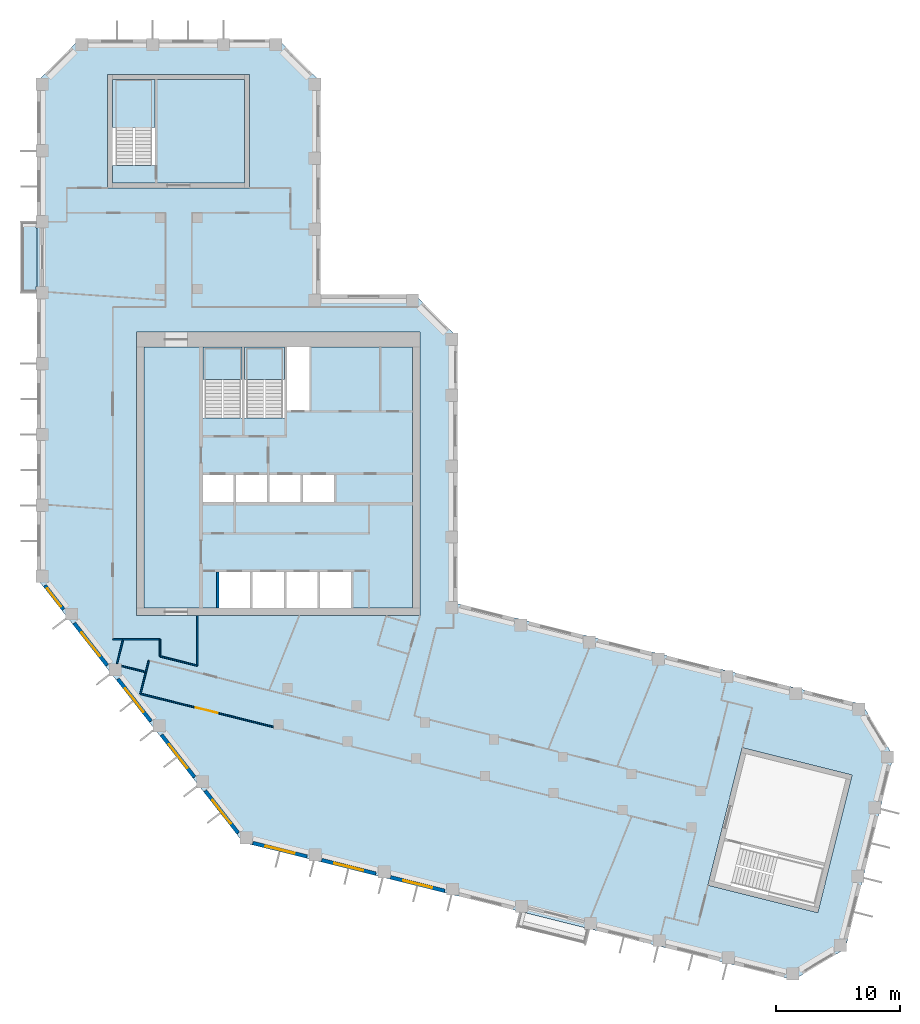
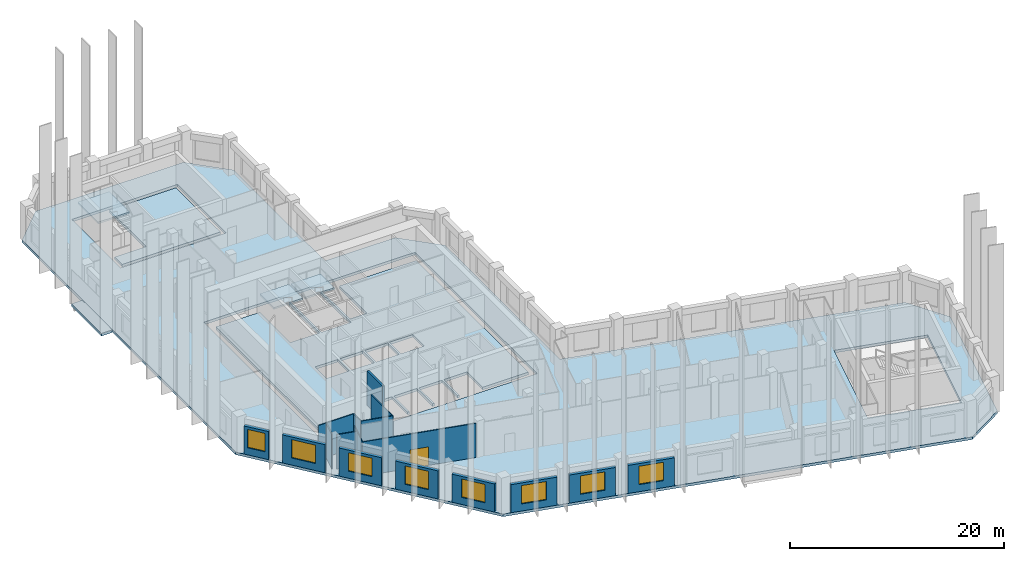
# One storey, part 2 of 9: 17 walls, 8 windows, 7 slabs, 1 door, 9 openings, 3 elements without a shape of their own.
"""IFC4 building model written with IfcOpenShell, lengths in metres."""

import ifcopenshell
import ifcopenshell.guid

model = None  # the IFC model being written
_history = None  # IfcOwnerHistory: only IFC2X3 demands one
_inside = {}  # id of a spatial element -> (the spatial element, [elements in it])
_under = {}  # id of a project, library or spatial element -> (it, [spatial elements below it])
_declared = {}  # id of a project -> (the project, [libraries it declares])
_typed = {}  # id of a type object -> (the type object, [elements of that type])
_made_of = {}  # id of a material, layer set ... -> (it, [elements and type objects made of it])


def new_model(schema):
    """Start an empty IFC model of exactly this schema.

    Asked for "IFC4X3", IfcOpenShell would pick the latest addendum, in which some entities
    have other attributes; the version numbers below select the first issue.
    IFC2X3 requires an IfcOwnerHistory on every rooted entity: one is made here for all.
    """
    global model, _history
    if schema == "IFC4X3":
        model = ifcopenshell.file(schema_version=(4, 3, 0, 0))
    else:
        model = ifcopenshell.file(schema=schema)
    _inside.clear()
    _under.clear()
    _declared.clear()
    _typed.clear()
    _made_of.clear()
    _history = None
    if model.schema == "IFC2X3":
        org = make("IfcOrganization", Name="unknown")
        user = make(
            "IfcPersonAndOrganization",
            ThePerson=make("IfcPerson", FamilyName="unknown"),
            TheOrganization=org,
        )
        app = make(
            "IfcApplication",
            ApplicationDeveloper=org,
            Version="unknown",
            ApplicationFullName="unknown",
            ApplicationIdentifier="unknown",
        )
        _history = make(
            "IfcOwnerHistory",
            OwningUser=user,
            OwningApplication=app,
            ChangeAction="ADDED",
            CreationDate=0,
        )
    return model


def make(cls, **values):
    """One entity of the class cls with the attributes given. An attribute that is None is left unset."""
    return model.create_entity(
        cls, **{name: value for name, value in values.items() if value is not None}
    )


def rooted(cls, **values):
    """An entity with a GlobalId (a new one), such as an element, a storey or a relation."""
    return make(cls, GlobalId=ifcopenshell.guid.new(), OwnerHistory=_history, **values)


def si_unit(unit_type, name, prefix=None):
    """IfcSIUnit, for example si_unit("LENGTHUNIT", "METRE", prefix="MILLI")."""
    return make("IfcSIUnit", UnitType=unit_type, Prefix=prefix, Name=name)


def assignment(units):
    """IfcUnitAssignment: the units of a project."""
    return None if units is None else make("IfcUnitAssignment", Units=units)


def point(xyz):
    """IfcCartesianPoint."""
    return None if xyz is None else make("IfcCartesianPoint", Coordinates=xyz)


def direction(xyz):
    """IfcDirection."""
    return None if xyz is None else make("IfcDirection", DirectionRatios=xyz)


def frame(location, z_axis=None, x_axis=None):
    """IfcAxis2Placement3D, a coordinate frame: its origin and axes. An axis left out is left unset."""
    return make(
        "IfcAxis2Placement3D",
        Location=point(location),
        Axis=direction(z_axis),
        RefDirection=direction(x_axis),
    )


def frame_2d(location, x_axis=None):
    """IfcAxis2Placement2D, a coordinate frame in the plane: its origin and x axis."""
    return make(
        "IfcAxis2Placement2D", Location=point(location), RefDirection=direction(x_axis)
    )


def origin():
    """The frame at (0, 0, 0) with its axes left unset."""
    return frame((0.0, 0.0, 0.0))


def place(relative_to, where):
    """IfcLocalPlacement: puts the frame where relative to a parent placement (None: the world)."""
    return make(
        "IfcLocalPlacement", PlacementRelTo=relative_to, RelativePlacement=where
    )


def context(
    kind, dimensions, precision=None, world=None, true_north=None, identifier=None
):
    """IfcGeometricRepresentationContext, for example the 3D "Model" context."""
    return make(
        "IfcGeometricRepresentationContext",
        ContextIdentifier=identifier,
        ContextType=kind,
        CoordinateSpaceDimension=dimensions,
        Precision=precision,
        WorldCoordinateSystem=world,
        TrueNorth=true_north,
    )


def subcontext(parent, identifier, kind, view, scale=None):
    """IfcGeometricRepresentationSubContext, for example "Body" below "Model"."""
    return make(
        "IfcGeometricRepresentationSubContext",
        ContextIdentifier=identifier,
        ContextType=kind,
        ParentContext=parent,
        TargetScale=scale,
        TargetView=view,
    )


def project(units=None, contexts=None):
    """IfcProject with its units and contexts."""
    return rooted(
        "IfcProject",
        Name="project",
        RepresentationContexts=contexts,
        UnitsInContext=assignment(units),
    )


def spatial(cls, under=None, at=None, **own):
    """A site, building, storey or space (cls), placed at a placement, below another one or the project."""
    s = rooted(cls, ObjectPlacement=at, **own)
    if under is not None:
        _under.setdefault(under.id(), (under, []))[1].append(s)
    return s


def polyline(points):
    """IfcPolyline through the points."""
    return make("IfcPolyline", Points=[point(p) for p in points])


def profile(cls, at=None, kind="AREA", **sizes):
    """A parametric profile (cls). Its sizes go by their IFC names, for example OverallWidth=200.0."""
    return make(cls, ProfileType=kind, Position=at, **sizes)


def rectangle(**sizes):
    """IfcRectangleProfileDef."""
    return profile("IfcRectangleProfileDef", **sizes)


def outline(outer, holes=None, kind="AREA"):
    """IfcArbitraryClosedProfileDef: a profile drawn as a closed curve; with holes, ...WithVoids."""
    if holes is None:
        return make("IfcArbitraryClosedProfileDef", ProfileType=kind, OuterCurve=outer)
    return make(
        "IfcArbitraryProfileDefWithVoids",
        ProfileType=kind,
        OuterCurve=outer,
        InnerCurves=holes,
    )


def extrude(swept, where, along, depth):
    """IfcExtrudedAreaSolid: the profile swept, set in the frame where, extruded along a direction by depth."""
    return make(
        "IfcExtrudedAreaSolid",
        SweptArea=swept,
        Position=where,
        ExtrudedDirection=direction(along),
        Depth=depth,
    )


def shape(context_of_items, identifier, shape_type, items):
    """IfcShapeRepresentation: the items that make up one representation, for example the "Body"."""
    return make(
        "IfcShapeRepresentation",
        ContextOfItems=context_of_items,
        RepresentationIdentifier=identifier,
        RepresentationType=shape_type,
        Items=items,
    )


def material(Name=None, Category=None):
    """IfcMaterial."""
    return make("IfcMaterial", Name=Name, Category=Category)


def layer(
    of_material, thickness, ventilated=None, Name=None, Category=None, Priority=None
):
    """IfcMaterialLayer: one layer of a wall or slab, of a material (None: an air gap)."""
    return make(
        "IfcMaterialLayer",
        Material=of_material,
        LayerThickness=thickness,
        IsVentilated=ventilated,
        Name=Name,
        Category=Category,
        Priority=Priority,
    )


def layer_set(layers, Name=None):
    """IfcMaterialLayerSet."""
    return make("IfcMaterialLayerSet", MaterialLayers=layers, LayerSetName=Name)


def made_of(thing, what):
    """Note that an element or type object is made of a material, layer set ...; save() writes the relation."""
    if what is not None:
        _made_of.setdefault(what.id(), (what, []))[1].append(thing)
    return thing


def type_object(cls, material=None, **own):
    """A type object (cls), such as IfcWallType, which elements share."""
    return made_of(rooted(cls, **own), material)


def element(
    cls,
    number,
    at=None,
    inside=None,
    cuts=None,
    type_object=None,
    material=None,
    context=None,
    identifier="Body",
    shape_type=None,
    held_by="IfcProductDefinitionShape",
    body=None,
    shapes=None,
    **own,
):
    """One element of the class cls, such as IfcWall. Its Tag is "e" and its number.

    at: its placement. inside: the storey or other place that contains it. cuts: it is an
    opening in that element (IfcRelVoidsElement). A single representation is given by context,
    identifier, shape_type and body (its items); several are given by shapes. held_by: the class
    of the entity that holds the representations. save() writes the other relations.
    """
    e = rooted(cls, Tag="e%d" % number, ObjectPlacement=at, **own)
    if body is not None:
        shapes = [shape(context, identifier, shape_type, body)]
    if shapes is not None:
        e.Representation = make(held_by, Representations=shapes)
    if inside is not None:
        _inside.setdefault(inside.id(), (inside, []))[1].append(e)
    if cuts is not None:
        rooted(
            "IfcRelVoidsElement", RelatingBuildingElement=cuts, RelatedOpeningElement=e
        )
    if type_object is not None:
        _typed.setdefault(type_object.id(), (type_object, []))[1].append(e)
    return made_of(e, material)


def fill(opening, filler):
    """IfcRelFillsElement: the door or window that sits in an opening."""
    return rooted(
        "IfcRelFillsElement",
        RelatingOpeningElement=opening,
        RelatedBuildingElement=filler,
    )


def aggregate(whole, parts):
    """IfcRelAggregates: a whole, such as a stair, and the parts it consists of."""
    return rooted("IfcRelAggregates", RelatingObject=whole, RelatedObjects=parts)


def save(model, path):
    """Write the relations noted so far, then the file.

    IfcRelAggregates (storeys below a building ...), IfcRelContainedInSpatialStructure (elements
    in a storey), IfcRelDefinesByType, IfcRelAssociatesMaterial and IfcRelDeclares: one each for
    every whole, place, type object, material and project.
    """
    for whole, parts in _under.values():
        aggregate(whole, parts)
    for where, things in _inside.values():
        rooted(
            "IfcRelContainedInSpatialStructure",
            RelatedElements=things,
            RelatingStructure=where,
        )
    for kind, things in _typed.values():
        rooted("IfcRelDefinesByType", RelatedObjects=things, RelatingType=kind)
    for what, things in _made_of.values():
        rooted("IfcRelAssociatesMaterial", RelatedObjects=things, RelatingMaterial=what)
    for by, libraries in _declared.values():
        rooted("IfcRelDeclares", RelatingContext=by, RelatedDefinitions=libraries)
    model.write(path)


model = new_model("IFC4")

# Units and contexts
model_context = context("Model", 3, precision=1e-05, world=origin(), true_north=direction((0.0, 1.0)))
body_context = subcontext(model_context, "Body", "Model", "MODEL_VIEW")
ifc_project = project(units=[si_unit("LENGTHUNIT", "METRE"), si_unit("AREAUNIT", "SQUARE_METRE"), si_unit("VOLUMEUNIT", "CUBIC_METRE"), si_unit("PLANEANGLEUNIT", "RADIAN"), si_unit("MASSUNIT", "GRAM", prefix="KILO")], contexts=[model_context])

# Site, building, storey
site_placement = place(None, origin())
site = spatial("IfcSite", under=ifc_project, at=site_placement, CompositionType="ELEMENT")
building_placement = place(site_placement, origin())
building = spatial("IfcBuilding", under=site, at=building_placement, Name="Meshkara Civic Tower", CompositionType="ELEMENT")
storey_placement = place(building_placement, frame((0.0, 0.0, 306.60009765625)))
storey = spatial("IfcBuildingStorey", under=building, at=storey_placement, Name="L70", CompositionType="ELEMENT", Elevation=306.60009765625)

# Slabs
ifc_material_1 = material(Name="Concrete C40", Category="concrete")
ifc_layer_1 = layer(ifc_material_1, 0.300048828125)
ifc_layer_set_1 = layer_set([ifc_layer_1], Name="BALCONY SLAB")
slab_type_1 = type_object("IfcSlabType", Name="BALCONY SLAB", PredefinedType="FLOOR", material=ifc_layer_set_1)
slab_1_placement = place(storey_placement, frame((0.0, 0.0, -0.300048828125)))
element("IfcSlab", 1, at=slab_1_placement, inside=storey, type_object=slab_type_1, Name="Balcony slab", PredefinedType="FLOOR", context=body_context, shape_type="SweptSolid", body=[
    extrude(outline(polyline([(-1.199951171875, 40.114990234375), (-1.199951171875, 45.695068359375), (-0.050048828125, 45.695068359375), (-0.050048828125, 45.2548828125), (0.0, 45.2548828125), (0.0, 40.554931640625), (-0.050048828125, 40.554931640625), (-0.050048828125, 40.114990234375), (-1.199951171875, 40.114990234375)])), origin(), (0.0, 0.0, 1.0), 0.300048828125),
])
ifc_material_2 = material(Name="Concrete C40/50", Category="concrete")
ifc_layer_2 = layer(ifc_material_2, 0.300048828125)
ifc_layer_set_2 = layer_set([ifc_layer_2], Name="Core floor slab 300 C40/50")
slab_type_2 = type_object("IfcSlabType", Name="Core floor slab 300 C40/50", PredefinedType="FLOOR", material=ifc_layer_set_2)
slab_2_placement = place(storey_placement, frame((0.0, 0.0, -0.300048828125)))
element("IfcSlab", 2, at=slab_2_placement, inside=storey, type_object=slab_type_2, Name="Core floor K", PredefinedType="FLOOR", context=body_context, shape_type="SweptSolid", body=[
    extrude(outline(polyline([(8.60009765625, 35.699951171875), (13.35009765625, 35.699951171875), (13.35009765625, 30.00146484375), (16.5, 30.00146484375), (16.5, 35.699951171875), (16.699951171875, 35.699951171875), (16.699951171875, 30.00146484375), (19.89990234375, 30.00146484375), (19.89990234375, 35.699951171875), (20.10009765625, 35.699951171875), (20.10009765625, 30.574951171875), (21.925048828125, 30.574951171875), (21.925048828125, 35.699951171875), (30.199951171875, 35.699951171875), (30.199951171875, 14.699951171875), (25.25, 14.699951171875), (25.25, 17.60009765625), (22.75, 17.60009765625), (22.75, 14.699951171875), (22.550048828125, 14.699951171875), (22.550048828125, 17.60009765625), (20.050048828125, 17.60009765625), (20.050048828125, 14.699951171875), (19.85009765625, 14.699951171875), (19.85009765625, 17.60009765625), (17.35009765625, 17.60009765625), (17.35009765625, 14.699951171875), (17.14990234375, 14.699951171875), (17.14990234375, 17.60009765625), (14.64990234375, 17.60009765625), (14.64990234375, 14.699951171875), (8.60009765625, 14.699951171875), (8.60009765625, 35.699951171875)]), holes=[polyline([(13.35009765625, 23.25), (15.800048828125, 23.25), (15.800048828125, 25.39990234375), (13.35009765625, 25.39990234375), (13.35009765625, 23.25)]), polyline([(18.5, 23.25), (18.5, 25.39990234375), (16.0, 25.39990234375), (16.0, 23.25), (18.5, 23.25)]), polyline([(18.699951171875, 23.25), (21.199951171875, 23.25), (21.199951171875, 25.39990234375), (18.699951171875, 25.39990234375), (18.699951171875, 23.25)]), polyline([(23.89990234375, 23.25), (23.89990234375, 25.39990234375), (21.39990234375, 25.39990234375), (21.39990234375, 23.25), (23.89990234375, 23.25)])]), origin(), (0.0, 0.0, 1.0), 0.300048828125),
])
slab_3_placement = place(storey_placement, frame((0.0, 0.0, -0.300048828125)))
element("IfcSlab", 3, at=slab_3_placement, inside=storey, type_object=slab_type_2, Name="Core floor EA", PredefinedType="FLOOR", context=body_context, shape_type="SweptSolid", body=[
    extrude(outline(polyline([(16.699951171875, 48.8701171875), (16.699951171875, 57.169921875), (9.5, 57.169921875), (9.5, 50.271484375), (6.10009765625, 50.271484375), (6.10009765625, 48.8701171875), (16.699951171875, 48.8701171875)])), origin(), (0.0, 0.0, 1.0), 0.300048828125),
])

# Stair, slab
ifc_material_3 = material(Name="Precast concrete C40/50", Category="concrete")
stair_type = type_object("IfcStairType", Name="Exit stair half-turn 24 risers precast", PredefinedType="HALF_TURN_STAIR", material=ifc_material_3)
stair_1_placement = place(storey_placement, origin())
stair_1 = element("IfcStair", 4, at=stair_1_placement, inside=storey, type_object=stair_type, Name="L70 exit stair 1", PredefinedType="HALF_TURN_STAIR")
ifc_material_4 = material(Name="Precast concrete C40/50", Category="concrete")
ifc_layer_3 = layer(ifc_material_4, 0.199951171875)
ifc_layer_set_3 = layer_set([ifc_layer_3], Name="Exit stair landing 200")
slab_type_3 = type_object("IfcSlabType", Name="Exit stair landing 200", PredefinedType="LANDING", material=ifc_layer_set_3)
slab_4_placement = place(storey_placement, frame((0.0, 0.0, 1.89990234375)))
slab_4 = element("IfcSlab", 5, at=slab_4_placement, type_object=slab_type_3, Name="ST1 landing 1", PredefinedType="LANDING", context=body_context, shape_type="SweptSolid", body=[
    extrude(outline(polyline([(16.5, 33.07861328125), (16.5, 35.699951171875), (13.35009765625, 35.699951171875), (13.35009765625, 33.07861328125), (16.5, 33.07861328125)])), origin(), (0.0, 0.0, 1.0), 0.199951171875),
])
aggregate(stair_1, [slab_4])

stair_2_placement = place(storey_placement, origin())
stair_2 = element("IfcStair", 6, at=stair_2_placement, inside=storey, type_object=stair_type, Name="L70 exit stair 2", PredefinedType="HALF_TURN_STAIR")
slab_5_placement = place(storey_placement, frame((0.0, 0.0, 1.89990234375)))
slab_5 = element("IfcSlab", 7, at=slab_5_placement, type_object=slab_type_3, Name="ST2 landing 1", PredefinedType="LANDING", context=body_context, shape_type="SweptSolid", body=[
    extrude(outline(polyline([(19.89990234375, 33.07861328125), (19.89990234375, 35.699951171875), (16.699951171875, 35.699951171875), (16.699951171875, 33.07861328125), (19.89990234375, 33.07861328125)])), origin(), (0.0, 0.0, 1.0), 0.199951171875),
])
aggregate(stair_2, [slab_5])

stair_3_placement = place(storey_placement, origin())
stair_3 = element("IfcStair", 8, at=stair_3_placement, inside=storey, type_object=stair_type, Name="L70 exit stair A from L65", PredefinedType="HALF_TURN_STAIR")
slab_6_placement = place(storey_placement, frame((0.0, 0.0, 1.89990234375)))
slab_6 = element("IfcSlab", 9, at=slab_6_placement, type_object=slab_type_3, Name="ESA5 landing 1", PredefinedType="LANDING", context=body_context, shape_type="SweptSolid", body=[
    extrude(outline(polyline([(9.5, 53.348388671875), (9.5, 57.169921875), (6.10009765625, 57.169921875), (6.10009765625, 53.348388671875), (9.5, 53.348388671875)])), origin(), (0.0, 0.0, 1.0), 0.199951171875),
])
aggregate(stair_3, [slab_6])

# Slab
ifc_material_5 = material(Name="Concrete C50", Category="concrete")
ifc_layer_4 = layer(ifc_material_5, 0.300048828125)
ifc_layer_set_4 = layer_set([ifc_layer_4], Name="Post-tensioned flat slab 300 C50")
slab_type_4 = type_object("IfcSlabType", Name="Post-tensioned flat slab 300 C50", PredefinedType="FLOOR", material=ifc_layer_set_4)
slab_7_placement = place(storey_placement, frame((0.0, 0.0, -0.300048828125)))
element("IfcSlab", 10, at=slab_7_placement, inside=storey, type_object=slab_type_4, Name="Post-tensioned flat slab L70", PredefinedType="FLOOR", context=body_context, shape_type="SweptSolid", body=[
    extrude(outline(polyline([(64.98291015625, -12.677001953125), (60.837890625, -15.1689453125), (16.592041015625, -4.136962890625), (0.0, 17.10009765625), (0.0, 57.0), (3.419921875, 60.419921875), (19.3798828125, 60.419921875), (22.800048828125, 57.0), (22.800048828125, 39.89990234375), (30.3798828125, 39.89990234375), (33.800048828125, 36.47998046875), (33.800048828125, 15.071044921875), (66.35302734375, 6.9541015625), (68.843994140625, 2.80810546875), (64.98291015625, -12.677001953125)]), holes=[polyline([(62.77001953125, -9.77587890625), (65.527099609375, 1.285888671875), (56.697998046875, 3.487060546875), (53.93994140625, -7.573974609375), (62.77001953125, -9.77587890625)]), polyline([(8.0, 14.10009765625), (30.800048828125, 14.10009765625), (30.800048828125, 36.89990234375), (8.0, 36.89990234375), (8.0, 14.10009765625)]), polyline([(5.699951171875, 57.570068359375), (5.699951171875, 48.469970703125), (17.10009765625, 48.469970703125), (17.10009765625, 57.570068359375), (5.699951171875, 57.570068359375)])]), origin(), (0.0, 0.0, 1.0), 0.300048828125),
])

# Wall
ifc_material_6 = material(Name="Corridor wall 100")
ifc_layer_5 = layer(ifc_material_6, 0.10009765625)
ifc_layer_set_5 = layer_set([ifc_layer_5], Name="Corridor wall 100")
wall_type_1 = type_object("IfcWallType", Name="Corridor wall 100", PredefinedType="PARTITIONING", material=ifc_layer_set_5)
wall_1_placement = place(storey_placement, frame((6.10009765625, 12.199951171875, 0.0), z_axis=(0.0, 0.0, 1.0), x_axis=(1.0, 0.0, 0.0)))
element("IfcWall", 11, at=wall_1_placement, inside=storey, type_object=wall_type_1, Name="L70-W004", PredefinedType="PARTITIONING", context=body_context, shape_type="SweptSolid", body=[
    extrude(rectangle(XDim=3.7998046875, YDim=0.10009765625, at=frame_2d((1.89990234375, 0.0))), origin(), (0.0, 0.0, 1.0), 3.89990234375),
])

# Wall, opening, door
wall_2_placement = place(storey_placement, frame((8.3330078125, 7.81494140625, 0.0), z_axis=(0.0, 0.0, 1.0), x_axis=(0.970306508913, -0.241878644697, 0.0)))
wall_2 = element("IfcWall", 12, at=wall_2_placement, inside=storey, type_object=wall_type_1, Name="L70-W006", PredefinedType="PARTITIONING", context=body_context, shape_type="SweptSolid", body=[
    extrude(rectangle(XDim=11.01806640625, YDim=0.10009765625, at=frame_2d((5.509033203125, 0.0))), origin(), (0.0, 0.0, 1.0), 3.89990234375),
])
opening_1_placement = place(wall_2_placement, frame((4.580078125, 0.0, 0.0)))
opening_1 = element("IfcOpeningElement", 13, at=opening_1_placement, cuts=wall_2, Name="Opening L70-D008", PredefinedType="OPENING", context=body_context, shape_type="SweptSolid", body=[
    extrude(rectangle(XDim=1.800048828125, YDim=2.10009765625, at=frame_2d((0.89990234375, 1.050048828125))), frame((0.0, 0.06005859375, 0.0), z_axis=(0.0, -1.0, 0.0), x_axis=(1.0, 0.0, 0.0)), (0.0, 0.0, 1.0), 0.1201171875),
])
ifc_material_7 = material(Name="Door pair 1800 x 2100")
door_type = type_object("IfcDoorType", Name="Door pair 1800 x 2100", OperationType="SINGLE_SWING_LEFT", PredefinedType="DOOR", material=ifc_material_7)
door_placement = place(opening_1_placement, origin())
door = element("IfcDoor", 14, at=door_placement, inside=storey, type_object=door_type, Name="L70-D008", OperationType="DOUBLE_DOOR_SINGLE_SWING", OverallHeight=2.10009765625, OverallWidth=1.800048828125, PredefinedType="DOOR", context=body_context, shape_type="SweptSolid", body=[
    extrude(rectangle(XDim=1.800048828125, YDim=2.10009765625, at=frame_2d((0.89990234375, 1.050048828125))), frame((0.0, 0.02490234375, 0.0), z_axis=(0.0, -1.0, 0.0), x_axis=(1.0, 0.0, 0.0)), (0.0, 0.0, 1.0), 0.050048828125),
])
fill(opening_1, door)

# Walls
wall_3_placement = place(storey_placement, frame((9.001953125, 10.4990234375, 0.0), z_axis=(0.0, 0.0, 1.0), x_axis=(-0.2418294893, -0.970318761081, 0.0)))
element("IfcWall", 15, at=wall_3_placement, inside=storey, type_object=wall_type_1, Name="L70-W008", PredefinedType="PARTITIONING", context=body_context, shape_type="SweptSolid", body=[
    extrude(rectangle(XDim=2.76611328125, YDim=0.10009765625, at=frame_2d((1.383056640625, 0.0))), origin(), (0.0, 0.0, 1.0), 3.89990234375),
])
wall_4_placement = place(storey_placement, frame((9.89990234375, 10.825927734375, 0.0), z_axis=(0.0, 0.0, 1.0), x_axis=(0.970290953223, -0.241941038466, 0.0)))
element("IfcWall", 16, at=wall_4_placement, inside=storey, type_object=wall_type_1, Name="L70-W009", PredefinedType="PARTITIONING", context=body_context, shape_type="SweptSolid", body=[
    extrude(rectangle(XDim=3.091796875, YDim=0.10009765625, at=frame_2d((1.5458984375, 0.0))), origin(), (0.0, 0.0, 1.0), 3.89990234375),
])
wall_5_placement = place(storey_placement, frame((9.89990234375, 12.199951171875, 0.0), z_axis=(0.0, 0.0, 1.0), x_axis=(0.0, -1.0, 0.0)))
element("IfcWall", 17, at=wall_5_placement, inside=storey, type_object=wall_type_1, Name="L70-W010", PredefinedType="PARTITIONING", context=body_context, shape_type="SweptSolid", body=[
    extrude(rectangle(XDim=1.3740234375, YDim=0.10009765625, at=frame_2d((0.68701171875, 0.0))), origin(), (0.0, 0.0, 1.0), 3.89990234375),
])
wall_6_placement = place(storey_placement, frame((12.89990234375, 10.077880859375, 0.0), z_axis=(0.0, 0.0, 1.0), x_axis=(0.0, 1.0, 0.0)))
element("IfcWall", 18, at=wall_6_placement, inside=storey, type_object=wall_type_1, Name="L70-W015", PredefinedType="PARTITIONING", context=body_context, shape_type="SweptSolid", body=[
    extrude(rectangle(XDim=4.022216796875, YDim=0.10009765625, at=frame_2d((2.01123046875, 0.0))), origin(), (0.0, 0.0, 1.0), 3.89990234375),
])

# Wall, opening, window
ifc_material_8 = material(Name="Insulated infill panel with bronze anodised aluminium cladding", Category="aluminium")
ifc_layer_6 = layer(ifc_material_8, 0.300048828125)
ifc_layer_set_6 = layer_set([ifc_layer_6], Name="EXTERNAL INFILL WALL 300")
wall_type_2 = type_object("IfcWallType", Name="EXTERNAL INFILL WALL 300", PredefinedType="SOLIDWALL", material=ifc_layer_set_6)
wall_7_placement = place(storey_placement, frame((0.64599609375, 16.51708984375, 0.0), z_axis=(0.0, 0.0, 1.0), x_axis=(0.615610986717, -0.788050197026, 0.0)))
wall_7 = element("IfcWall", 19, at=wall_7_placement, inside=storey, type_object=wall_type_2, Name="External wall", PredefinedType="SOLIDWALL", context=body_context, shape_type="SweptSolid", body=[
    extrude(rectangle(XDim=2.4365234375, YDim=0.300048828125, at=frame_2d((1.21826171875, 0.0))), origin(), (0.0, 0.0, 1.0), 3.199951171875),
])
opening_2_placement = place(wall_7_placement, frame((0.318115234375, 0.0, 0.800048828125)))
opening_2 = element("IfcOpeningElement", 20, at=opening_2_placement, cuts=wall_7, Name="Opening W9", PredefinedType="OPENING", context=body_context, shape_type="SweptSolid", body=[
    extrude(rectangle(XDim=1.800048828125, YDim=2.10009765625, at=frame_2d((0.89990234375, 1.050048828125))), frame((0.0, 0.159912109375, 0.0), z_axis=(0.0, -1.0, 0.0), x_axis=(1.0, 0.0, 0.0)), (0.0, 0.0, 1.0), 0.320068359375),
])
ifc_material_9 = material(Name="Tinted double glazing", Category="glass")
window_type_1 = type_object("IfcWindowType", Name="WINDOW 1800x2100", PartitioningType="DOUBLE_PANEL_VERTICAL", PredefinedType="WINDOW", material=ifc_material_9)
window_1_placement = place(opening_2_placement, origin())
window_1 = element("IfcWindow", 21, at=window_1_placement, inside=storey, type_object=window_type_1, Name="Window", OverallHeight=2.10009765625, OverallWidth=1.800048828125, PartitioningType="DOUBLE_PANEL_VERTICAL", PredefinedType="WINDOW", context=body_context, shape_type="SweptSolid", body=[
    extrude(rectangle(XDim=1.800048828125, YDim=2.10009765625, at=frame_2d((0.89990234375, 1.050048828125))), frame((0.0, 0.030029296875, 0.0), z_axis=(0.0, -1.0, 0.0), x_axis=(1.0, 0.0, 0.0)), (0.0, 0.0, 1.0), 0.06005859375),
])
fill(opening_2, window_1)

wall_8_placement = place(storey_placement, frame((3.010009765625, 13.490966796875, 0.0), z_axis=(0.0, 0.0, 1.0), x_axis=(0.615713519567, -0.787970089421, 0.0)))
wall_8 = element("IfcWall", 22, at=wall_8_placement, inside=storey, type_object=wall_type_2, Name="External wall", PredefinedType="SOLIDWALL", context=body_context, shape_type="SweptSolid", body=[
    extrude(rectangle(XDim=4.2958984375, YDim=0.300048828125, at=frame_2d((2.14794921875, 0.0))), origin(), (0.0, 0.0, 1.0), 3.199951171875),
])
opening_3_placement = place(wall_8_placement, frame((0.947998046875, 0.0, 0.800048828125)))
opening_3 = element("IfcOpeningElement", 23, at=opening_3_placement, cuts=wall_8, Name="Opening W7", PredefinedType="OPENING", context=body_context, shape_type="SweptSolid", body=[
    extrude(rectangle(XDim=2.39990234375, YDim=2.10009765625, at=frame_2d((1.199951171875, 1.050048828125))), frame((0.0, 0.159912109375, 0.0), z_axis=(0.0, -1.0, 0.0), x_axis=(1.0, 0.0, 0.0)), (0.0, 0.0, 1.0), 0.320068359375),
])
ifc_material_10 = material(Name="Tinted double glazing", Category="glass")
window_type_2 = type_object("IfcWindowType", Name="WINDOW 2400x2100", PartitioningType="DOUBLE_PANEL_VERTICAL", PredefinedType="WINDOW", material=ifc_material_10)
window_2_placement = place(opening_3_placement, origin())
window_2 = element("IfcWindow", 24, at=window_2_placement, inside=storey, type_object=window_type_2, Name="Window", OverallHeight=2.10009765625, OverallWidth=2.39990234375, PartitioningType="DOUBLE_PANEL_VERTICAL", PredefinedType="WINDOW", context=body_context, shape_type="SweptSolid", body=[
    extrude(rectangle(XDim=2.39990234375, YDim=2.10009765625, at=frame_2d((1.199951171875, 1.050048828125))), frame((0.0, 0.030029296875, 0.0), z_axis=(0.0, -1.0, 0.0), x_axis=(1.0, 0.0, 0.0)), (0.0, 0.0, 1.0), 0.06005859375),
])
fill(opening_3, window_2)

wall_9_placement = place(storey_placement, frame((6.51904296875, 9.0, 0.0), z_axis=(0.0, 0.0, 1.0), x_axis=(0.615634121154, -0.788032124263, 0.0)))
wall_9 = element("IfcWall", 25, at=wall_9_placement, inside=storey, type_object=wall_type_2, Name="External wall", PredefinedType="SOLIDWALL", context=body_context, shape_type="SweptSolid", body=[
    extrude(rectangle(XDim=4.298095703125, YDim=0.300048828125, at=frame_2d((2.14892578125, 0.0))), origin(), (0.0, 0.0, 1.0), 3.199951171875),
])
opening_4_placement = place(wall_9_placement, frame((0.948974609375, 0.0, 0.800048828125)))
opening_4 = element("IfcOpeningElement", 26, at=opening_4_placement, cuts=wall_9, Name="Opening W7", PredefinedType="OPENING", context=body_context, shape_type="SweptSolid", body=[
    extrude(rectangle(XDim=2.39990234375, YDim=2.10009765625, at=frame_2d((1.199951171875, 1.050048828125))), frame((0.0, 0.159912109375, 0.0), z_axis=(0.0, -1.0, 0.0), x_axis=(1.0, 0.0, 0.0)), (0.0, 0.0, 1.0), 0.320068359375),
])
window_3_placement = place(opening_4_placement, origin())
window_3 = element("IfcWindow", 27, at=window_3_placement, inside=storey, type_object=window_type_2, Name="Window", OverallHeight=2.10009765625, OverallWidth=2.39990234375, PartitioningType="DOUBLE_PANEL_VERTICAL", PredefinedType="WINDOW", context=body_context, shape_type="SweptSolid", body=[
    extrude(rectangle(XDim=2.39990234375, YDim=2.10009765625, at=frame_2d((1.199951171875, 1.050048828125))), frame((0.0, 0.030029296875, 0.0), z_axis=(0.0, -1.0, 0.0), x_axis=(1.0, 0.0, 0.0)), (0.0, 0.0, 1.0), 0.06005859375),
])
fill(opening_4, window_3)

wall_10_placement = place(storey_placement, frame((10.029052734375, 4.507080078125, 0.0), z_axis=(0.0, 0.0, 1.0), x_axis=(0.615572343689, -0.788080382756, 0.0)))
wall_10 = element("IfcWall", 28, at=wall_10_placement, inside=storey, type_object=wall_type_2, Name="External wall", PredefinedType="SOLIDWALL", context=body_context, shape_type="SweptSolid", body=[
    extrude(rectangle(XDim=4.295166015625, YDim=0.300048828125, at=frame_2d((2.1474609375, 0.0))), origin(), (0.0, 0.0, 1.0), 3.199951171875),
])
opening_5_placement = place(wall_10_placement, frame((0.947998046875, 0.0, 0.800048828125)))
opening_5 = element("IfcOpeningElement", 29, at=opening_5_placement, cuts=wall_10, Name="Opening W7", PredefinedType="OPENING", context=body_context, shape_type="SweptSolid", body=[
    extrude(rectangle(XDim=2.39990234375, YDim=2.10009765625, at=frame_2d((1.199951171875, 1.050048828125))), frame((0.0, 0.159912109375, 0.0), z_axis=(0.0, -1.0, 0.0), x_axis=(1.0, 0.0, 0.0)), (0.0, 0.0, 1.0), 0.320068359375),
])
window_4_placement = place(opening_5_placement, origin())
window_4 = element("IfcWindow", 30, at=window_4_placement, inside=storey, type_object=window_type_2, Name="Window", OverallHeight=2.10009765625, OverallWidth=2.39990234375, PartitioningType="DOUBLE_PANEL_VERTICAL", PredefinedType="WINDOW", context=body_context, shape_type="SweptSolid", body=[
    extrude(rectangle(XDim=2.39990234375, YDim=2.10009765625, at=frame_2d((1.199951171875, 1.050048828125))), frame((0.0, 0.030029296875, 0.0), z_axis=(0.0, -1.0, 0.0), x_axis=(1.0, 0.0, 0.0)), (0.0, 0.0, 1.0), 0.06005859375),
])
fill(opening_5, window_4)

wall_11_placement = place(storey_placement, frame((13.5380859375, 0.01611328125, 0.0), z_axis=(0.0, 0.0, 1.0), x_axis=(0.615713519567, -0.787970089421, 0.0)))
wall_11 = element("IfcWall", 31, at=wall_11_placement, inside=storey, type_object=wall_type_2, Name="External wall", PredefinedType="SOLIDWALL", context=body_context, shape_type="SweptSolid", body=[
    extrude(rectangle(XDim=4.2958984375, YDim=0.300048828125, at=frame_2d((2.14794921875, 0.0))), origin(), (0.0, 0.0, 1.0), 3.199951171875),
])
opening_6_placement = place(wall_11_placement, frame((0.947998046875, 0.0, 0.800048828125)))
opening_6 = element("IfcOpeningElement", 32, at=opening_6_placement, cuts=wall_11, Name="Opening W7", PredefinedType="OPENING", context=body_context, shape_type="SweptSolid", body=[
    extrude(rectangle(XDim=2.39990234375, YDim=2.10009765625, at=frame_2d((1.199951171875, 1.050048828125))), frame((0.0, 0.159912109375, 0.0), z_axis=(0.0, -1.0, 0.0), x_axis=(1.0, 0.0, 0.0)), (0.0, 0.0, 1.0), 0.320068359375),
])
window_5_placement = place(opening_6_placement, origin())
window_5 = element("IfcWindow", 33, at=window_5_placement, inside=storey, type_object=window_type_2, Name="Window", OverallHeight=2.10009765625, OverallWidth=2.39990234375, PartitioningType="DOUBLE_PANEL_VERTICAL", PredefinedType="WINDOW", context=body_context, shape_type="SweptSolid", body=[
    extrude(rectangle(XDim=2.39990234375, YDim=2.10009765625, at=frame_2d((1.199951171875, 1.050048828125))), frame((0.0, 0.030029296875, 0.0), z_axis=(0.0, -1.0, 0.0), x_axis=(1.0, 0.0, 0.0)), (0.0, 0.0, 1.0), 0.06005859375),
])
fill(opening_6, window_5)

wall_12_placement = place(storey_placement, frame((17.366943359375, -4.176025390625, 0.0), z_axis=(0.0, 0.0, 1.0), x_axis=(0.970327846266, -0.241793032904, 0.0)))
wall_12 = element("IfcWall", 34, at=wall_12_placement, inside=storey, type_object=wall_type_2, Name="External wall", PredefinedType="SOLIDWALL", context=body_context, shape_type="SweptSolid", body=[
    extrude(rectangle(XDim=4.487060546875, YDim=0.300048828125, at=frame_2d((2.24365234375, 0.0))), origin(), (0.0, 0.0, 1.0), 3.199951171875),
])
opening_7_placement = place(wall_12_placement, frame((1.0439453125, 0.0, 0.800048828125)))
opening_7 = element("IfcOpeningElement", 35, at=opening_7_placement, cuts=wall_12, Name="Opening W7", PredefinedType="OPENING", context=body_context, shape_type="SweptSolid", body=[
    extrude(rectangle(XDim=2.39990234375, YDim=2.10009765625, at=frame_2d((1.199951171875, 1.050048828125))), frame((0.0, 0.159912109375, 0.0), z_axis=(0.0, -1.0, 0.0), x_axis=(1.0, 0.0, 0.0)), (0.0, 0.0, 1.0), 0.320068359375),
])
window_6_placement = place(opening_7_placement, origin())
window_6 = element("IfcWindow", 36, at=window_6_placement, inside=storey, type_object=window_type_2, Name="Window", OverallHeight=2.10009765625, OverallWidth=2.39990234375, PartitioningType="DOUBLE_PANEL_VERTICAL", PredefinedType="WINDOW", context=body_context, shape_type="SweptSolid", body=[
    extrude(rectangle(XDim=2.39990234375, YDim=2.10009765625, at=frame_2d((1.199951171875, 1.050048828125))), frame((0.0, 0.030029296875, 0.0), z_axis=(0.0, -1.0, 0.0), x_axis=(1.0, 0.0, 0.0)), (0.0, 0.0, 1.0), 0.06005859375),
])
fill(opening_7, window_6)

wall_13_placement = place(storey_placement, frame((22.89794921875, -5.554931640625, 0.0), z_axis=(0.0, 0.0, 1.0), x_axis=(0.970315118421, -0.24184410467, 0.0)))
wall_13 = element("IfcWall", 37, at=wall_13_placement, inside=storey, type_object=wall_type_2, Name="External wall", PredefinedType="SOLIDWALL", context=body_context, shape_type="SweptSolid", body=[
    extrude(rectangle(XDim=4.486083984375, YDim=0.300048828125, at=frame_2d((2.2431640625, 0.0))), origin(), (0.0, 0.0, 1.0), 3.199951171875),
])
opening_8_placement = place(wall_13_placement, frame((1.0439453125, 0.0, 0.800048828125)))
opening_8 = element("IfcOpeningElement", 38, at=opening_8_placement, cuts=wall_13, Name="Opening W7", PredefinedType="OPENING", context=body_context, shape_type="SweptSolid", body=[
    extrude(rectangle(XDim=2.39990234375, YDim=2.10009765625, at=frame_2d((1.199951171875, 1.050048828125))), frame((0.0, 0.159912109375, 0.0), z_axis=(0.0, -1.0, 0.0), x_axis=(1.0, 0.0, 0.0)), (0.0, 0.0, 1.0), 0.320068359375),
])
window_7_placement = place(opening_8_placement, origin())
window_7 = element("IfcWindow", 39, at=window_7_placement, inside=storey, type_object=window_type_2, Name="Window", OverallHeight=2.10009765625, OverallWidth=2.39990234375, PartitioningType="DOUBLE_PANEL_VERTICAL", PredefinedType="WINDOW", context=body_context, shape_type="SweptSolid", body=[
    extrude(rectangle(XDim=2.39990234375, YDim=2.10009765625, at=frame_2d((1.199951171875, 1.050048828125))), frame((0.0, 0.030029296875, 0.0), z_axis=(0.0, -1.0, 0.0), x_axis=(1.0, 0.0, 0.0)), (0.0, 0.0, 1.0), 0.06005859375),
])
fill(opening_8, window_7)

wall_14_placement = place(storey_placement, frame((28.427978515625, -6.93310546875, 0.0), z_axis=(0.0, 0.0, 1.0), x_axis=(0.970276766004, -0.241997928406, 0.0)))
wall_14 = element("IfcWall", 40, at=wall_14_placement, inside=storey, type_object=wall_type_2, Name="External wall", PredefinedType="SOLIDWALL", context=body_context, shape_type="SweptSolid", body=[
    extrude(rectangle(XDim=4.4873046875, YDim=0.300048828125, at=frame_2d((2.24365234375, 0.0))), origin(), (0.0, 0.0, 1.0), 3.199951171875),
])
opening_9_placement = place(wall_14_placement, frame((1.0439453125, 0.0, 0.800048828125)))
opening_9 = element("IfcOpeningElement", 41, at=opening_9_placement, cuts=wall_14, Name="Opening W7", PredefinedType="OPENING", context=body_context, shape_type="SweptSolid", body=[
    extrude(rectangle(XDim=2.39990234375, YDim=2.10009765625, at=frame_2d((1.199951171875, 1.050048828125))), frame((0.0, 0.159912109375, 0.0), z_axis=(0.0, -1.0, 0.0), x_axis=(1.0, 0.0, 0.0)), (0.0, 0.0, 1.0), 0.320068359375),
])
window_8_placement = place(opening_9_placement, origin())
window_8 = element("IfcWindow", 42, at=window_8_placement, inside=storey, type_object=window_type_2, Name="Window", OverallHeight=2.10009765625, OverallWidth=2.39990234375, PartitioningType="DOUBLE_PANEL_VERTICAL", PredefinedType="WINDOW", context=body_context, shape_type="SweptSolid", body=[
    extrude(rectangle(XDim=2.39990234375, YDim=2.10009765625, at=frame_2d((1.199951171875, 1.050048828125))), frame((0.0, 0.030029296875, 0.0), z_axis=(0.0, -1.0, 0.0), x_axis=(1.0, 0.0, 0.0)), (0.0, 0.0, 1.0), 0.06005859375),
])
fill(opening_9, window_8)

# Walls
ifc_material_11 = material(Name="Partition 100")
ifc_layer_7 = layer(ifc_material_11, 0.10009765625)
ifc_layer_set_7 = layer_set([ifc_layer_7], Name="Partition 100")
wall_type_3 = type_object("IfcWallType", Name="Partition 100", PredefinedType="PARTITIONING", material=ifc_layer_set_7)
wall_15_placement = place(storey_placement, frame((6.922119140625, 12.137939453125, 0.0), z_axis=(0.0, 0.0, 1.0), x_axis=(-0.242476987996, -0.970157157523, 0.0)))
element("IfcWall", 43, at=wall_15_placement, inside=storey, type_object=wall_type_3, Name="L70-W043", PredefinedType="PARTITIONING", context=body_context, shape_type="SweptSolid", body=[
    extrude(rectangle(XDim=1.95947265625, YDim=0.10009765625, at=frame_2d((0.979736328125, 0.0))), origin(), (0.0, 0.0, 1.0), 3.89990234375),
])
wall_16_placement = place(storey_placement, frame((8.719970703125, 9.574951171875, 0.0), z_axis=(0.0, 0.0, 1.0), x_axis=(-0.970274576003, 0.242006708918, 0.0)))
element("IfcWall", 44, at=wall_16_placement, inside=storey, type_object=wall_type_3, Name="L70-W044", PredefinedType="PARTITIONING", context=body_context, shape_type="SweptSolid", body=[
    extrude(rectangle(XDim=1.955078125, YDim=0.10009765625, at=frame_2d((0.9775390625, 0.0))), origin(), (0.0, 0.0, 1.0), 3.89990234375),
])
ifc_material_12 = material(Name="Concrete C40/50", Category="concrete")
ifc_layer_8 = layer(ifc_material_12, 0.199951171875)
ifc_layer_set_8 = layer_set([ifc_layer_8], Name="Shaft wall 200 C40/50")
wall_type_4 = type_object("IfcWallType", Name="Shaft wall 200 C40/50", PredefinedType="SOLIDWALL", material=ifc_layer_set_8)
wall_17_placement = place(storey_placement, frame((14.550048828125, 14.699951171875, 0.0), z_axis=(0.0, 0.0, 1.0), x_axis=(0.0, 1.0, 0.0)))
element("IfcWall", 45, at=wall_17_placement, inside=storey, type_object=wall_type_4, Name="L70-C012", PredefinedType="SOLIDWALL", context=body_context, shape_type="SweptSolid", body=[
    extrude(rectangle(XDim=2.900146484375, YDim=0.199951171875, at=frame_2d((1.4501953125, 0.0))), origin(), (0.0, 0.0, 1.0), 3.89990234375),
])

save(model, "model.ifc")
